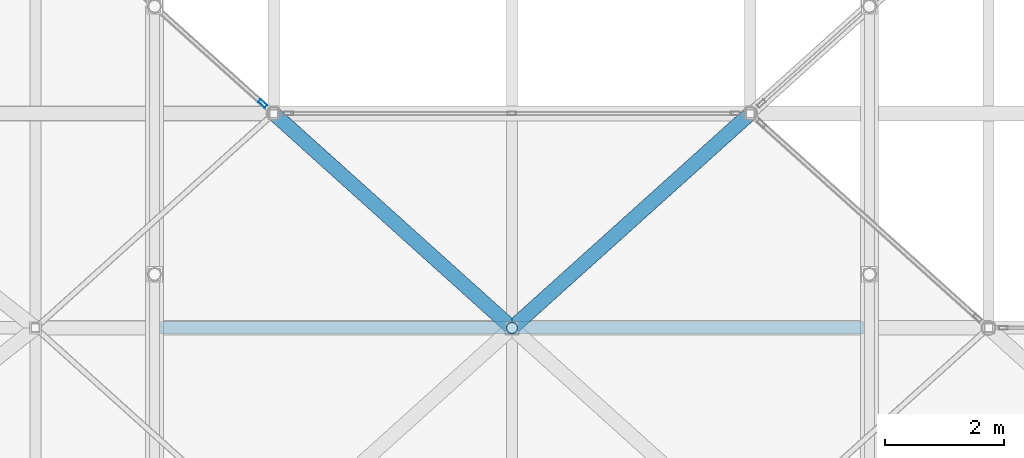
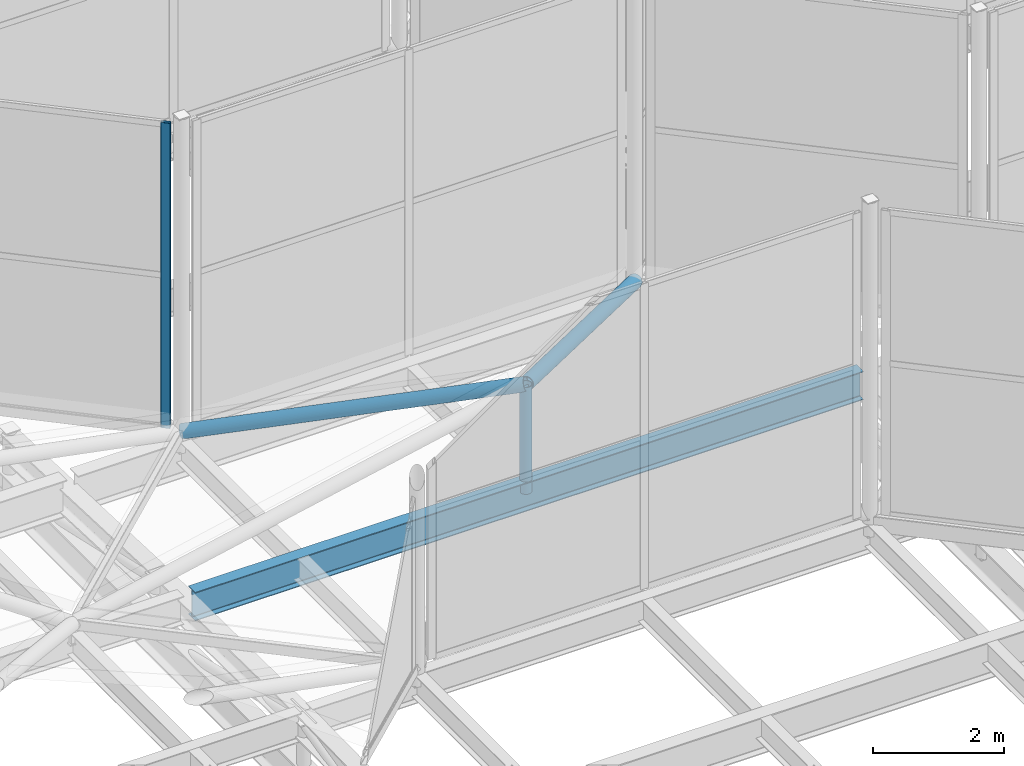
# One storey, part 67 of 239: 4 members, 1 beam, 1 element without a shape of its own.
"""IFC4 building model written with IfcOpenShell, lengths in metres."""

from ifc_helpers import new_model, si_unit, direction, frame, origin, origin_2d, place, context, subcontext, project, spatial, hollow_rectangle, hollow_circle, i_section, extrude, material, layer, layer_set, material_profile, profile_set, type_object, element, aggregate, save


model = new_model("IFC4")

# Units and contexts
model_context = context("Model", 3, precision=1e-05, world=origin(), true_north=direction((0.0, 1.0)))
body_context = subcontext(model_context, "Body", "Model", "MODEL_VIEW")
ifc_project = project(units=[si_unit("LENGTHUNIT", "METRE"), si_unit("AREAUNIT", "SQUARE_METRE"), si_unit("VOLUMEUNIT", "CUBIC_METRE"), si_unit("PLANEANGLEUNIT", "RADIAN"), si_unit("MASSUNIT", "GRAM", prefix="KILO")], contexts=[model_context])

# Site, building, storey
site_placement = place(None, origin())
site = spatial("IfcSite", under=ifc_project, at=site_placement, CompositionType="ELEMENT")
building_placement = place(site_placement, origin())
building = spatial("IfcBuilding", under=site, at=building_placement, Name="Dunvalen Ferry Terminal", CompositionType="ELEMENT")
storey_placement = place(building_placement, frame((0.0, 0.0, 9.840087890625)))
storey = spatial("IfcBuildingStorey", under=building, at=storey_placement, Name="L02", CompositionType="ELEMENT", Elevation=9.840087890625)

# Curtain wall, member
ifc_material_1 = material(Name="Anodised marine aluminium and solar-control glazing", Category="aluminium")
ifc_layer = layer(ifc_material_1, 0.179931640625, Name="Anodised marine aluminium and solar-control glazing")
ifc_layer_set = layer_set([ifc_layer], Name="Anodised marine aluminium and solar-control glazing")
curtain_wall_type = type_object("IfcCurtainWallType", Name="ENV-CW-SYS-05", PredefinedType="NOTDEFINED", material=ifc_layer_set)
curtain_wall_placement = place(storey_placement, origin())
curtain_wall = element("IfcCurtainWall", 1, at=curtain_wall_placement, inside=storey, type_object=curtain_wall_type, Name="L02 Curtain Wall CW-HEX-16-SK-1", PredefinedType="NOTDEFINED")
ifc_material_2 = material(Name="Anodised marine aluminium EN AW-6063 T6", Category="aluminium")
ifc_material_profile_1 = material_profile(ifc_material_2, hollow_rectangle(XDim=0.06005859375, YDim=0.14990234375, WallThickness=0.00341796875, InnerFilletRadius=0.00341796875, OuterFilletRadius=0.007080078125, at=origin_2d()), Name="Anodised marine aluminium EN AW-6063 T6")
ifc_profile_set_1 = profile_set([ifc_material_profile_1], Name="Anodised marine aluminium EN AW-6063 T6")
member_type_1 = type_object("IfcMemberType", Name="ENV-CW-MUL-3", PredefinedType="MULLION", material=ifc_profile_set_1)
member_1_placement = place(storey_placement, frame((25.814208984375, 75.767333984375, 1.139892578125), z_axis=(0.0, 0.0, 1.0), x_axis=(0.668953550894, 0.74330420875, 0.0)))
member_1 = element("IfcMember", 2, at=member_1_placement, type_object=member_type_1, Name="CW-05 mullion 2", PredefinedType="MULLION", context=body_context, shape_type="SweptSolid", body=[
    extrude(hollow_rectangle(XDim=0.06005859375, YDim=0.14990234375, WallThickness=0.00341796875, InnerFilletRadius=0.00341796875, OuterFilletRadius=0.007080078125, at=origin_2d()), origin(), (0.0, 0.0, 1.0), 5.699951171875),
])
aggregate(curtain_wall, [member_1])

# Beam
ifc_material_3 = material(Name="Steel S355", Category="steel")
ifc_material_profile_2 = material_profile(ifc_material_3, i_section(OverallWidth=0.209228515625, OverallDepth=0.533203125, WebThickness=0.010009765625, FlangeThickness=0.015625, FilletRadius=0.0126953125, at=origin_2d()), Name="Steel S355")
ifc_profile_set_2 = profile_set([ifc_material_profile_2], Name="Steel S355")
beam_type = type_object("IfcBeamType", Name="STR-BM-UKB533", PredefinedType="BEAM", material=ifc_profile_set_2)
beam_placement = place(storey_placement, frame((24.10009765625, 72.0, 0.7333984375), z_axis=(1.0, 0.0, 0.0), x_axis=(0.0, 1.0, 0.0)))
element("IfcBeam", 3, at=beam_placement, inside=storey, type_object=beam_type, Name="Departure Hall Spine Girder B2.07", PredefinedType="BEAM", context=body_context, shape_type="SweptSolid", body=[
    extrude(i_section(OverallWidth=0.209228515625, OverallDepth=0.533203125, WebThickness=0.010009765625, FlangeThickness=0.015625, FilletRadius=0.0126953125, at=origin_2d()), origin(), (0.0, 0.0, 1.0), 11.7998046875),
])

# Members
ifc_material_profile_3 = material_profile(ifc_material_3, hollow_circle(Radius=0.096923828125, WallThickness=0.008056640625, at=origin_2d()), Name="Steel S355")
ifc_profile_set_3 = profile_set([ifc_material_profile_3], Name="Steel S355")
member_type_2 = type_object("IfcMemberType", Name="STR-MB-CHS193", PredefinedType="STRUT", material=ifc_profile_set_3)
member_2_placement = place(storey_placement, frame((30.0, 72.0, 0.77001953125), z_axis=(0.0, 0.0, 1.0), x_axis=(1.0, 0.0, 0.0)))
element("IfcMember", 4, at=member_2_placement, inside=storey, type_object=member_type_2, Name="HEX-15 Pyramid Apex Strut", PredefinedType="STRUT", context=body_context, shape_type="SweptSolid", body=[
    extrude(hollow_circle(Radius=0.096923828125, WallThickness=0.008056640625, at=origin_2d()), origin(), (0.0, 0.0, 1.0), 1.994873046875),
])
ifc_material_profile_4 = material_profile(ifc_material_3, hollow_circle(Radius=0.122314453125, WallThickness=0.010009765625, at=origin_2d()), Name="Steel S355")
ifc_profile_set_4 = profile_set([ifc_material_profile_4], Name="Steel S355")
member_type_3 = type_object("IfcMemberType", Name="STR-MB-CHS244", PredefinedType="STRUT", material=ifc_profile_set_4)
for number, where, z_axis, x_axis, name in (
    (5, (34.0, 75.60009765625, 1.099853515625), (-0.710074680578, -0.639084548328, 0.295575520114), (0.668974757313, -0.743285123004, 0.0), "HEX-15 Pyramid Hip Rafter 5"),
    (6, (26.0, 75.60009765625, 1.099853515625), (0.710074680578, -0.639084548328, 0.295575520114), (0.668974757313, 0.743285123004, 0.0), "HEX-15 Pyramid Hip Rafter 6"),
):
    element("IfcMember", number, at=place(storey_placement, frame(where, z_axis=z_axis, x_axis=x_axis)), inside=storey, type_object=member_type_3, Name=name, PredefinedType="STRUT", context=body_context, shape_type="SweptSolid", body=[
        extrude(hollow_circle(Radius=0.122314453125, WallThickness=0.010009765625, at=origin_2d()), origin(), (0.0, 0.0, 1.0), 5.63330078125),
    ])

save(model, "model.ifc")
